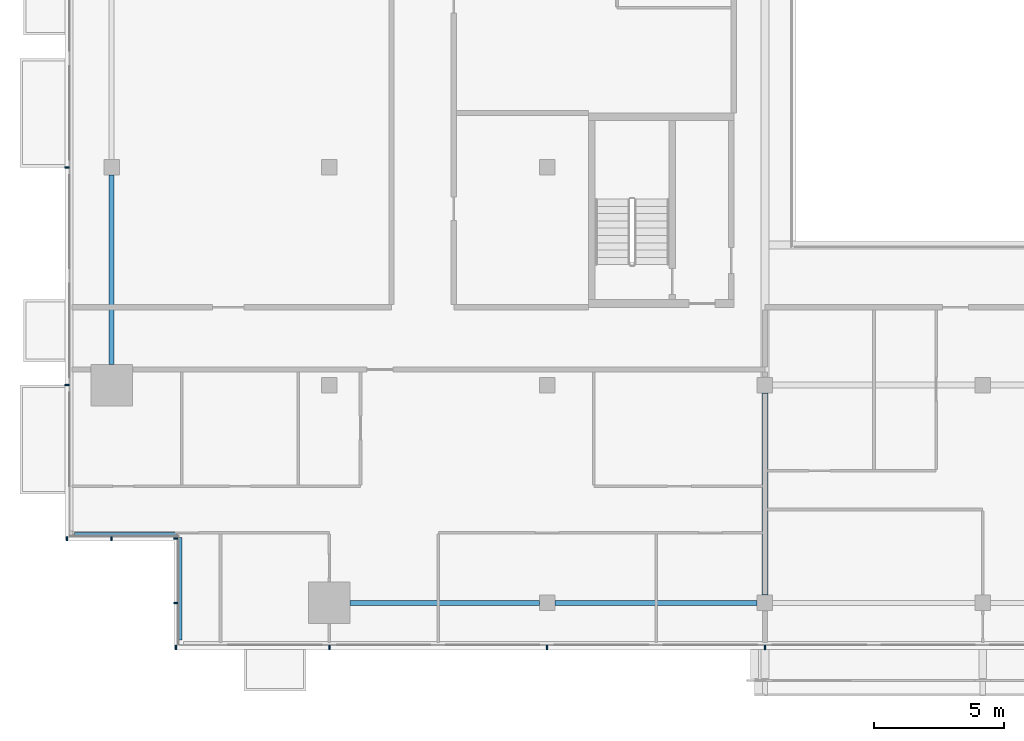
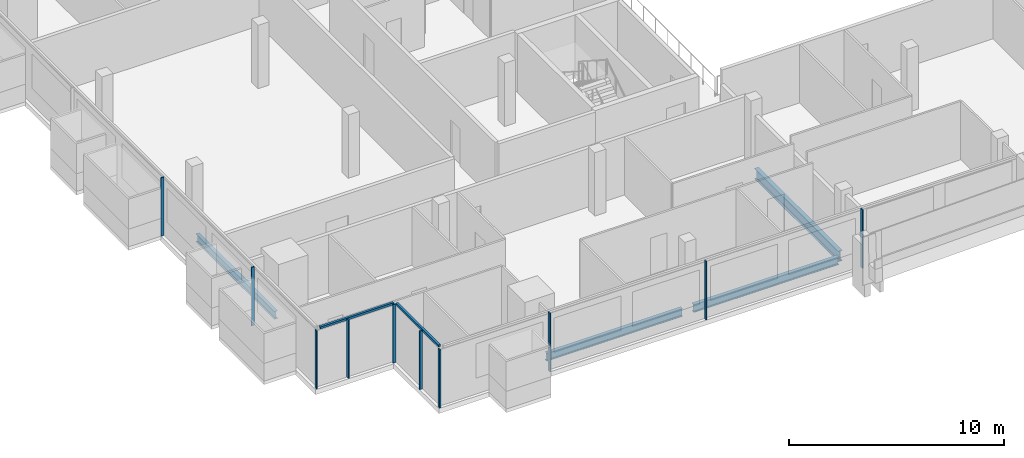
# One storey, part 2 of 27: 12 members, 4 beams, 4 elements without a shape of their own.
"""IFC4 building model written with IfcOpenShell, lengths in metres."""

from ifc_helpers import new_model, si_unit, direction, frame, origin, origin_2d, place, context, subcontext, project, spatial, rectangle, i_section, extrude, material, material_profile, profile_set, type_object, element, aggregate, save


model = new_model("IFC4")

# Units and contexts
model_context = context("Model", 3, precision=1e-05, world=origin(), true_north=direction((0.0, 1.0)))
body_context = subcontext(model_context, "Body", "Model", "MODEL_VIEW")
ifc_project = project(units=[si_unit("LENGTHUNIT", "METRE"), si_unit("AREAUNIT", "SQUARE_METRE"), si_unit("VOLUMEUNIT", "CUBIC_METRE"), si_unit("PLANEANGLEUNIT", "RADIAN"), si_unit("MASSUNIT", "GRAM", prefix="KILO")], contexts=[model_context])

# Site, building, storey
site_placement = place(None, origin())
site = spatial("IfcSite", under=ifc_project, at=site_placement, CompositionType="ELEMENT")
building_placement = place(site_placement, origin())
building = spatial("IfcBuilding", under=site, at=building_placement, Name="Saffron Gate Tower", CompositionType="ELEMENT")
storey_placement = place(building_placement, frame((0.0, 0.0, 209.10009765625)))
storey = spatial("IfcBuildingStorey", under=building, at=storey_placement, Name="L50", CompositionType="ELEMENT", Elevation=209.10009765625)

# Beams
ifc_material_1 = material(Name="Structural steel S355", Category="steel")
ifc_material_profile_1 = material_profile(ifc_material_1, i_section(OverallWidth=0.219970703125, OverallDepth=0.60009765625, WebThickness=0.011962890625, FlangeThickness=0.01904296875, FilletRadius=0.02392578125, at=origin_2d()))
ifc_profile_set_1 = profile_set([ifc_material_profile_1], Name="Structural steel S355")
beam_type_1 = type_object("IfcBeamType", Name="B15 IPE 600", PredefinedType="BEAM", material=ifc_profile_set_1)
beam_1_placement = place(storey_placement, frame((75.0, 32.10009765625, -0.580078125), z_axis=(0.0, 1.0, 0.0), x_axis=(-1.0, 0.0, 0.0)))
element("IfcBeam", 1, at=beam_1_placement, inside=storey, type_object=beam_type_1, Name="B15 FLOOR GIRDER", PredefinedType="BEAM", context=body_context, shape_type="SweptSolid", body=[
    extrude(i_section(OverallWidth=0.219970703125, OverallDepth=0.60009765625, WebThickness=0.011962890625, FlangeThickness=0.01904296875, FilletRadius=0.02392578125, at=origin_2d()), origin(), (0.0, 0.0, 1.0), 7.7998046875),
])
ifc_material_profile_2 = material_profile(ifc_material_1, i_section(OverallWidth=0.18994140625, OverallDepth=0.449951171875, WebThickness=0.009521484375, FlangeThickness=0.0146484375, FilletRadius=0.02099609375, at=origin_2d()))
ifc_profile_set_2 = profile_set([ifc_material_profile_2], Name="Structural steel S355")
beam_type_2 = type_object("IfcBeamType", Name="B7 IPE 450", PredefinedType="SPANDREL", material=ifc_profile_set_2)
for number, where, z_axis, x_axis, name in (
    (2, (49.800048828125, 41.0, -0.505126953125), (0.0, 1.0, 0.0), (-1.0, 0.0, 0.0), "B7 SPANDREL BEAM"),
    (3, (59.0, 31.800048828125, -0.505126953125), (1.0, 0.0, 0.0), (0.0, 1.0, 0.0), "B7 SPANDREL BEAM"),
):
    element("IfcBeam", number, at=place(storey_placement, frame(where, z_axis=z_axis, x_axis=x_axis)), inside=storey, type_object=beam_type_2, Name=name, PredefinedType="SPANDREL", context=body_context, shape_type="SweptSolid", body=[
        extrude(i_section(OverallWidth=0.18994140625, OverallDepth=0.449951171875, WebThickness=0.009521484375, FlangeThickness=0.0146484375, FilletRadius=0.02099609375, at=origin_2d()), origin(), (0.0, 0.0, 1.0), 7.300048828125),
    ])
beam_2_placement = place(storey_placement, frame((66.89990234375, 31.800048828125, -0.505126953125), z_axis=(1.0, 0.0, 0.0), x_axis=(0.0, 1.0, 0.0)))
element("IfcBeam", 4, at=beam_2_placement, inside=storey, type_object=beam_type_2, Name="B7 SPANDREL BEAM", PredefinedType="SPANDREL", context=body_context, shape_type="SweptSolid", body=[
    extrude(i_section(OverallWidth=0.18994140625, OverallDepth=0.449951171875, WebThickness=0.009521484375, FlangeThickness=0.0146484375, FilletRadius=0.02099609375, at=origin_2d()), origin(), (0.0, 0.0, 1.0), 7.800048828125),
])

# Curtain wall, members
ifc_material_2 = material(Name="Aluminium, bronze anodised", Category="aluminium")
curtain_wall_type_1 = type_object("IfcCurtainWallType", Name="CWS1 curtain wall front facade", PredefinedType="NOTDEFINED", material=ifc_material_2)
curtain_wall_1_placement = place(storey_placement, origin())
curtain_wall_1 = element("IfcCurtainWall", 5, at=curtain_wall_1_placement, inside=storey, type_object=curtain_wall_type_1, Name="CWS1 run 1", PredefinedType="NOTDEFINED")
ifc_material_profile_3 = material_profile(ifc_material_2, rectangle(XDim=0.159912109375, YDim=0.06005859375, at=origin_2d()))
ifc_profile_set_3 = profile_set([ifc_material_profile_3], Name="Aluminium, bronze anodised")
member_type_1 = type_object("IfcMemberType", Name="CWS1 mullion 60x160", PredefinedType="MULLION", material=ifc_profile_set_3)
member_1_placement = place(storey_placement, frame((52.280029296875, 30.080078125, 0.0), z_axis=(0.0, 0.0, 1.0), x_axis=(0.0, 1.0, 0.0)))
member_1 = element("IfcMember", 6, at=member_1_placement, type_object=member_type_1, Name="CWS1 mullion 1", PredefinedType="MULLION", context=body_context, shape_type="SweptSolid", body=[
    extrude(rectangle(XDim=0.159912109375, YDim=0.06005859375, at=origin_2d()), origin(), (0.0, 0.0, 1.0), 3.31982421875),
])
member_2_placement = place(storey_placement, frame((58.199951171875, 30.080078125, 0.0), z_axis=(0.0, 0.0, 1.0), x_axis=(0.0, 1.0, 0.0)))
member_2 = element("IfcMember", 7, at=member_2_placement, type_object=member_type_1, Name="CWS1 mullion 2", PredefinedType="MULLION", context=body_context, shape_type="SweptSolid", body=[
    extrude(rectangle(XDim=0.159912109375, YDim=0.06005859375, at=origin_2d()), origin(), (0.0, 0.0, 1.0), 3.31982421875),
])
member_3_placement = place(storey_placement, frame((66.60009765625, 30.080078125, 0.0), z_axis=(0.0, 0.0, 1.0), x_axis=(0.0, 1.0, 0.0)))
member_3 = element("IfcMember", 8, at=member_3_placement, type_object=member_type_1, Name="CWS1 mullion 3", PredefinedType="MULLION", context=body_context, shape_type="SweptSolid", body=[
    extrude(rectangle(XDim=0.159912109375, YDim=0.06005859375, at=origin_2d()), origin(), (0.0, 0.0, 1.0), 3.31982421875),
])
member_4_placement = place(storey_placement, frame((75.0, 30.080078125, 0.0), z_axis=(0.0, 0.0, 1.0), x_axis=(0.0, 1.0, 0.0)))
member_4 = element("IfcMember", 9, at=member_4_placement, type_object=member_type_1, Name="CWS1 mullion 4", PredefinedType="MULLION", context=body_context, shape_type="SweptSolid", body=[
    extrude(rectangle(XDim=0.159912109375, YDim=0.06005859375, at=origin_2d()), origin(), (0.0, 0.0, 1.0), 3.31982421875),
])
aggregate(curtain_wall_1, [member_1, member_2, member_3, member_4])

curtain_wall_type_2 = type_object("IfcCurtainWallType", Name="CWS2 curtain wall side facades", PredefinedType="NOTDEFINED", material=ifc_material_2)
curtain_wall_2_placement = place(storey_placement, origin())
curtain_wall_2 = element("IfcCurtainWall", 10, at=curtain_wall_2_placement, inside=storey, type_object=curtain_wall_type_2, Name="CWS2 run 10", PredefinedType="NOTDEFINED")
ifc_material_profile_4 = material_profile(ifc_material_2, rectangle(XDim=0.159912109375, YDim=0.06005859375, at=origin_2d()))
ifc_profile_set_4 = profile_set([ifc_material_profile_4], Name="Aluminium, bronze anodised")
member_type_2 = type_object("IfcMemberType", Name="CWS2 mullion 60x160", PredefinedType="MULLION", material=ifc_profile_set_4)
member_5_placement = place(storey_placement, frame((48.080078125, 48.60009765625, 0.0), z_axis=(0.0, 0.0, 1.0), x_axis=(1.0, 0.0, 0.0)))
member_5 = element("IfcMember", 11, at=member_5_placement, type_object=member_type_2, Name="CWS2 mullion 4", PredefinedType="MULLION", context=body_context, shape_type="SweptSolid", body=[
    extrude(rectangle(XDim=0.159912109375, YDim=0.06005859375, at=origin_2d()), origin(), (0.0, 0.0, 1.0), 3.31982421875),
])
member_6_placement = place(storey_placement, frame((48.080078125, 40.199951171875, 0.0), z_axis=(0.0, 0.0, 1.0), x_axis=(1.0, 0.0, 0.0)))
member_6 = element("IfcMember", 12, at=member_6_placement, type_object=member_type_2, Name="CWS2 mullion 5", PredefinedType="MULLION", context=body_context, shape_type="SweptSolid", body=[
    extrude(rectangle(XDim=0.159912109375, YDim=0.06005859375, at=origin_2d()), origin(), (0.0, 0.0, 1.0), 3.31982421875),
])
aggregate(curtain_wall_2, [member_5, member_6])

# Curtain wall, member
curtain_wall_type_3 = type_object("IfcCurtainWallType", Name="CWS4 curtain wall corner returns", PredefinedType="NOTDEFINED", material=ifc_material_2)
curtain_wall_3_placement = place(storey_placement, origin())
curtain_wall_3 = element("IfcCurtainWall", 13, at=curtain_wall_3_placement, inside=storey, type_object=curtain_wall_type_3, Name="CWS4 run 11", PredefinedType="NOTDEFINED")
ifc_material_profile_5 = material_profile(ifc_material_2, rectangle(XDim=0.1201171875, YDim=0.1201171875, at=origin_2d()))
ifc_profile_set_5 = profile_set([ifc_material_profile_5], Name="Aluminium, bronze anodised")
member_type_3 = type_object("IfcMemberType", Name="CWS4 head transom", PredefinedType="USERDEFINED", material=ifc_profile_set_5)
member_7_placement = place(storey_placement, frame((48.367919921875, 34.447998046875, 3.260009765625), z_axis=(1.0, 0.0, 0.0), x_axis=(0.0, 1.0, 0.0)))
member_7 = element("IfcMember", 14, at=member_7_placement, type_object=member_type_3, Name="CWS4 head transom", ObjectType="TRANSOM", PredefinedType="USERDEFINED", context=body_context, shape_type="SweptSolid", body=[
    extrude(rectangle(XDim=0.1201171875, YDim=0.1201171875, at=origin_2d()), origin(), (0.0, 0.0, 1.0), 3.9599609375),
])

curtain_wall_4_placement = place(storey_placement, origin())
curtain_wall_4 = element("IfcCurtainWall", 15, at=curtain_wall_4_placement, inside=storey, type_object=curtain_wall_type_3, Name="CWS4 run 12", PredefinedType="NOTDEFINED")
member_8_placement = place(storey_placement, frame((52.447998046875, 34.327880859375, 3.260009765625), z_axis=(0.0, -1.0, 0.0), x_axis=(1.0, 0.0, 0.0)))
member_8 = element("IfcMember", 16, at=member_8_placement, type_object=member_type_3, Name="CWS4 head transom", ObjectType="TRANSOM", PredefinedType="USERDEFINED", context=body_context, shape_type="SweptSolid", body=[
    extrude(rectangle(XDim=0.1201171875, YDim=0.1201171875, at=origin_2d()), origin(), (0.0, 0.0, 1.0), 3.9599609375),
])

# Member
ifc_material_profile_6 = material_profile(ifc_material_2, rectangle(XDim=0.159912109375, YDim=0.06005859375, at=origin_2d()))
ifc_profile_set_6 = profile_set([ifc_material_profile_6], Name="Aluminium, bronze anodised")
member_type_4 = type_object("IfcMemberType", Name="CWS4 mullion 60x160", PredefinedType="MULLION", material=ifc_profile_set_6)
member_9_placement = place(storey_placement, frame((48.080078125, 34.280029296875, 0.0), z_axis=(0.0, 0.0, 1.0), x_axis=(0.0, 1.0, 0.0)))
member_9 = element("IfcMember", 17, at=member_9_placement, type_object=member_type_4, Name="CWS4 mullion 1", PredefinedType="MULLION", context=body_context, shape_type="SweptSolid", body=[
    extrude(rectangle(XDim=0.159912109375, YDim=0.06005859375, at=origin_2d()), origin(), (0.0, 0.0, 1.0), 3.31982421875),
])

member_10_placement = place(storey_placement, frame((49.800048828125, 34.280029296875, 0.0), z_axis=(0.0, 0.0, 1.0), x_axis=(0.0, 1.0, 0.0)))
member_10 = element("IfcMember", 18, at=member_10_placement, type_object=member_type_4, Name="CWS4 mullion 2", PredefinedType="MULLION", context=body_context, shape_type="SweptSolid", body=[
    extrude(rectangle(XDim=0.159912109375, YDim=0.06005859375, at=origin_2d()), origin(), (0.0, 0.0, 1.0), 3.31982421875),
])

aggregate(curtain_wall_3, [member_9, member_10, member_7])

member_11_placement = place(storey_placement, frame((52.280029296875, 34.280029296875, 0.0), z_axis=(0.0, 0.0, 1.0), x_axis=(1.0, 0.0, 0.0)))
member_11 = element("IfcMember", 19, at=member_11_placement, type_object=member_type_4, Name="CWS4 mullion 1", PredefinedType="MULLION", context=body_context, shape_type="SweptSolid", body=[
    extrude(rectangle(XDim=0.159912109375, YDim=0.06005859375, at=origin_2d()), origin(), (0.0, 0.0, 1.0), 3.31982421875),
])

member_12_placement = place(storey_placement, frame((52.280029296875, 31.800048828125, 0.0), z_axis=(0.0, 0.0, 1.0), x_axis=(1.0, 0.0, 0.0)))
member_12 = element("IfcMember", 20, at=member_12_placement, type_object=member_type_4, Name="CWS4 mullion 2", PredefinedType="MULLION", context=body_context, shape_type="SweptSolid", body=[
    extrude(rectangle(XDim=0.159912109375, YDim=0.06005859375, at=origin_2d()), origin(), (0.0, 0.0, 1.0), 3.31982421875),
])

aggregate(curtain_wall_4, [member_11, member_12, member_8])

save(model, "model.ifc")
